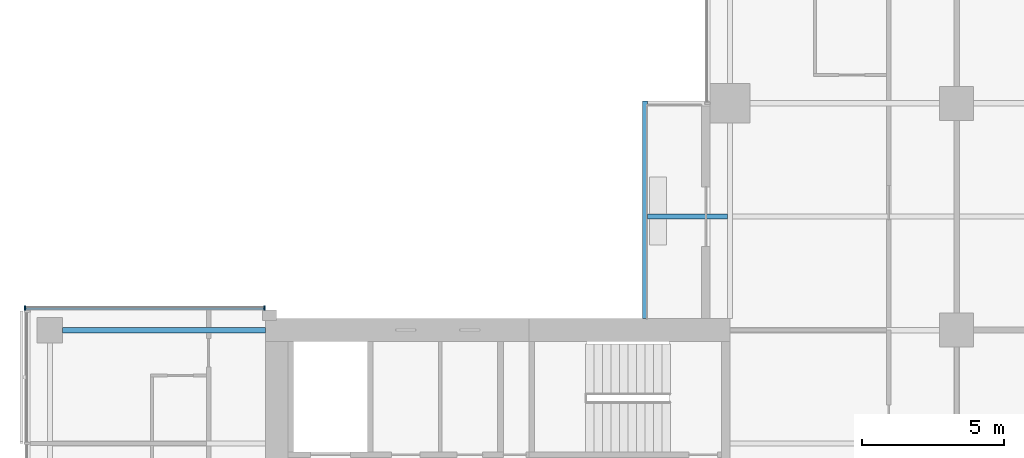
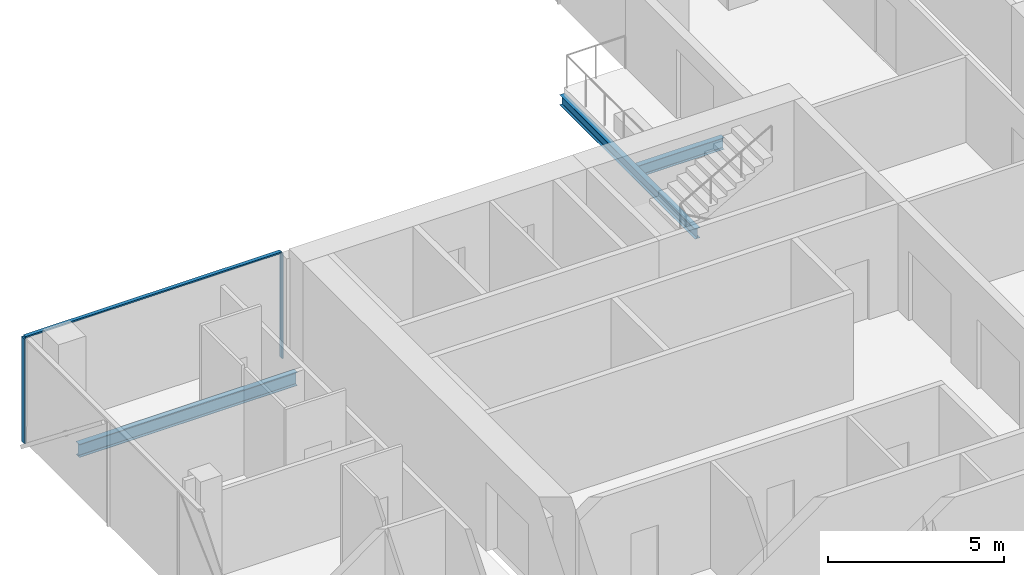
# One storey, part 8 of 27: 3 beams, 3 members, 1 element without a shape of its own.
"""IFC4 building model written with IfcOpenShell, lengths in metres."""

from ifc_helpers import new_model, si_unit, direction, frame, origin, origin_2d, place, context, subcontext, project, spatial, rectangle, i_section, extrude, material, material_profile, profile_set, type_object, element, aggregate, save


model = new_model("IFC4")

# Units and contexts
model_context = context("Model", 3, precision=1e-05, world=origin(), true_north=direction((0.0, 1.0)))
body_context = subcontext(model_context, "Body", "Model", "MODEL_VIEW")
ifc_project = project(units=[si_unit("LENGTHUNIT", "METRE"), si_unit("AREAUNIT", "SQUARE_METRE"), si_unit("VOLUMEUNIT", "CUBIC_METRE"), si_unit("PLANEANGLEUNIT", "RADIAN"), si_unit("MASSUNIT", "GRAM", prefix="KILO")], contexts=[model_context])

# Site, building, storey
site_placement = place(None, origin())
site = spatial("IfcSite", under=ifc_project, at=site_placement, CompositionType="ELEMENT")
building_placement = place(site_placement, origin())
building = spatial("IfcBuilding", under=site, at=building_placement, Name="Crosswind Convention Tower", CompositionType="ELEMENT")
storey_placement = place(building_placement, frame((0.0, 0.0, 64.60009765625)))
storey = spatial("IfcBuildingStorey", under=building, at=storey_placement, Name="L10", CompositionType="ELEMENT", Elevation=64.60009765625)

# Beams
ifc_material_1 = material(Name="Steel S355", Category="steel")
ifc_material_profile_1 = material_profile(ifc_material_1, i_section(OverallWidth=0.177734375, OverallDepth=0.406494140625, WebThickness=0.0078125, FlangeThickness=0.0126953125, FilletRadius=0.01025390625, at=origin_2d()), Name="UB 406x178x60")
ifc_profile_set_1 = profile_set([ifc_material_profile_1], Name="Steel S355")
beam_type_1 = type_object("IfcBeamType", Name="Balcony cantilever UB 406x178x60", PredefinedType="BEAM", material=ifc_profile_set_1)
beam_1_placement = place(storey_placement, frame((112.90478515625, 116.0, -0.4833984375), z_axis=(-1.0, 0.0, 0.0), x_axis=(0.0, -1.0, 0.0)))
element("IfcBeam", 1, at=beam_1_placement, inside=storey, type_object=beam_type_1, Name="B35 L10 balcony cantilever NW 4", PredefinedType="BEAM", context=body_context, shape_type="SweptSolid", body=[
    extrude(i_section(OverallWidth=0.177734375, OverallDepth=0.406494140625, WebThickness=0.0078125, FlangeThickness=0.0126953125, FilletRadius=0.01025390625, at=origin_2d()), origin(), (0.0, 0.0, 1.0), 2.8193359375),
])
ifc_material_profile_2 = material_profile(ifc_material_1, i_section(OverallWidth=0.1708984375, OverallDepth=0.35205078125, WebThickness=0.0068359375, FlangeThickness=0.009765625, FilletRadius=0.01025390625, at=origin_2d()), Name="UB 356x171x45")
ifc_profile_set_2 = profile_set([ifc_material_profile_2], Name="Steel S355")
beam_type_2 = type_object("IfcBeamType", Name="Balcony edge beam UB 356x171x45", PredefinedType="BEAM", material=ifc_profile_set_2)
beam_2_placement = place(storey_placement, frame((110.0, 112.39990234375, -0.4560546875), z_axis=(0.0, 1.0, 0.0), x_axis=(-1.0, 0.0, 0.0)))
element("IfcBeam", 2, at=beam_2_placement, inside=storey, type_object=beam_type_2, Name="B37 L10 balcony edge beam NW 6", PredefinedType="BEAM", context=body_context, shape_type="SweptSolid", body=[
    extrude(i_section(OverallWidth=0.1708984375, OverallDepth=0.35205078125, WebThickness=0.0068359375, FlangeThickness=0.009765625, FilletRadius=0.01025390625, at=origin_2d()), origin(), (0.0, 0.0, 1.0), 7.68896484375),
])
ifc_material_profile_3 = material_profile(ifc_material_1, i_section(OverallWidth=0.1904296875, OverallDepth=0.457275390625, WebThickness=0.009033203125, FlangeThickness=0.014404296875, FilletRadius=0.01025390625, at=origin_2d()), Name="UB 457x191x75")
ifc_profile_set_3 = profile_set([ifc_material_profile_3], Name="Steel S355")
beam_type_3 = type_object("IfcBeamType", Name="Edge beam UB 457x191x75", PredefinedType="SPANDREL", material=ifc_profile_set_3)
beam_3_placement = place(storey_placement, frame((89.449951171875, 112.0, -0.5087890625), z_axis=(1.0, 0.0, 0.0), x_axis=(0.0, 1.0, 0.0)))
element("IfcBeam", 3, at=beam_3_placement, inside=storey, type_object=beam_type_3, Name="B17 L10 edge beam 5", PredefinedType="SPANDREL", context=body_context, shape_type="SweptSolid", body=[
    extrude(i_section(OverallWidth=0.1904296875, OverallDepth=0.457275390625, WebThickness=0.009033203125, FlangeThickness=0.014404296875, FilletRadius=0.01025390625, at=origin_2d()), origin(), (0.0, 0.0, 1.0), 7.150146484375),
])

# Curtain wall, members
ifc_material_2 = material(Name="Aluminium unitised curtain wall", Category="aluminium")
curtain_wall_type = type_object("IfcCurtainWallType", Name="CORE END SLOT WALL 160", PredefinedType="USERDEFINED", material=ifc_material_2)
curtain_wall_placement = place(storey_placement, origin())
curtain_wall = element("IfcCurtainWall", 4, at=curtain_wall_placement, inside=storey, type_object=curtain_wall_type, Name="CW6 L10 W-N.2-1 slot", ObjectType="UNITISED", PredefinedType="USERDEFINED")
ifc_material_3 = material(Name="Aluminium mullion", Category="aluminium")
ifc_material_profile_4 = material_profile(ifc_material_3, rectangle(XDim=0.159912109375, YDim=0.050048828125, at=origin_2d()), Name="AL 160X50")
ifc_profile_set_4 = profile_set([ifc_material_profile_4], Name="Aluminium mullion")
member_type_1 = type_object("IfcMemberType", Name="MULLION 50X160", PredefinedType="MULLION", material=ifc_profile_set_4)
member_1_placement = place(storey_placement, frame((96.574951171875, 112.780029296875, -0.280029296875), z_axis=(0.0, 0.0, 1.0), x_axis=(0.0, 1.0, 0.0)))
member_1 = element("IfcMember", 5, at=member_1_placement, type_object=member_type_1, Name="CW6 mullion 1", PredefinedType="MULLION", context=body_context, shape_type="SweptSolid", body=[
    extrude(rectangle(XDim=0.159912109375, YDim=0.050048828125, at=origin_2d()), origin(), (0.0, 0.0, 1.0), 3.64990234375),
])
member_2_placement = place(storey_placement, frame((88.125, 112.780029296875, -0.280029296875), z_axis=(0.0, 0.0, 1.0), x_axis=(0.0, 1.0, 0.0)))
member_2 = element("IfcMember", 6, at=member_2_placement, type_object=member_type_1, Name="CW6 mullion 2", PredefinedType="MULLION", context=body_context, shape_type="SweptSolid", body=[
    extrude(rectangle(XDim=0.159912109375, YDim=0.050048828125, at=origin_2d()), origin(), (0.0, 0.0, 1.0), 3.64990234375),
])
ifc_material_4 = material(Name="Aluminium transom", Category="aluminium")
ifc_material_profile_5 = material_profile(ifc_material_4, rectangle(XDim=0.1201171875, YDim=0.050048828125, at=origin_2d()), Name="AL 120X50")
ifc_profile_set_5 = profile_set([ifc_material_profile_5], Name="Aluminium transom")
member_type_2 = type_object("IfcMemberType", Name="TRANSOM 50X120", PredefinedType="USERDEFINED", material=ifc_profile_set_5)
member_3_placement = place(storey_placement, frame((96.550048828125, 112.780029296875, 3.39501953125), z_axis=(-1.0, 0.0, 0.0), x_axis=(0.0, -1.0, 0.0)))
member_3 = element("IfcMember", 7, at=member_3_placement, type_object=member_type_2, Name="CW6 transom", ObjectType="TRANSOM", PredefinedType="USERDEFINED", context=body_context, shape_type="SweptSolid", body=[
    extrude(rectangle(XDim=0.1201171875, YDim=0.050048828125, at=origin_2d()), origin(), (0.0, 0.0, 1.0), 8.400146484375),
])
aggregate(curtain_wall, [member_1, member_2, member_3])

save(model, "model.ifc")
